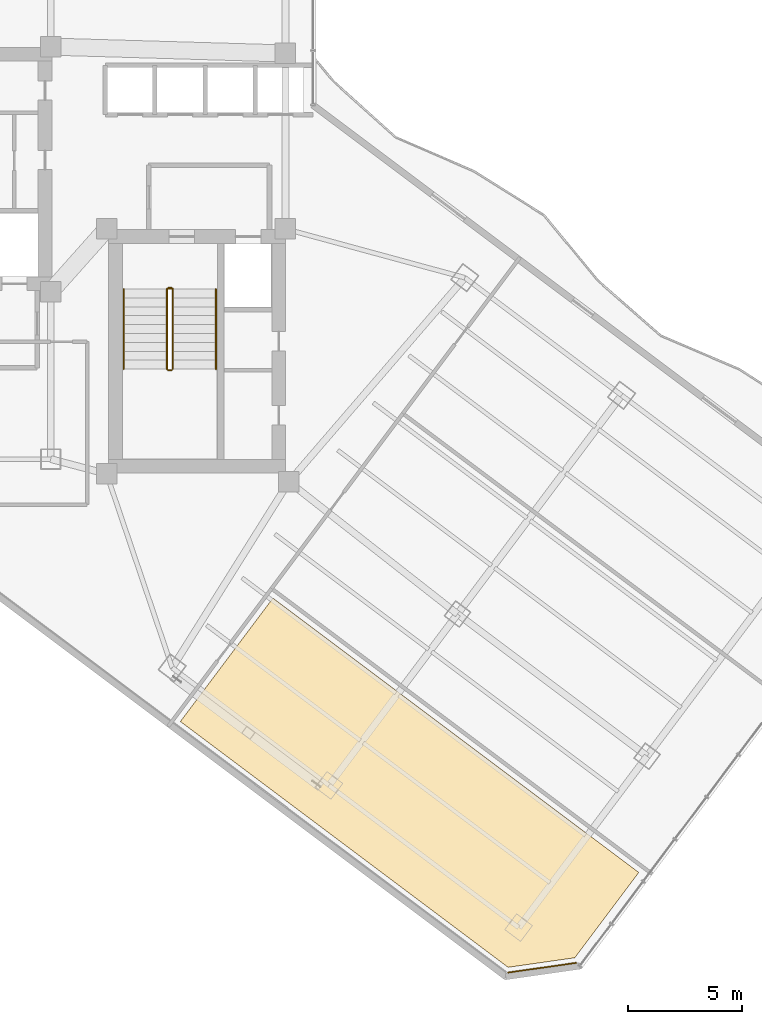
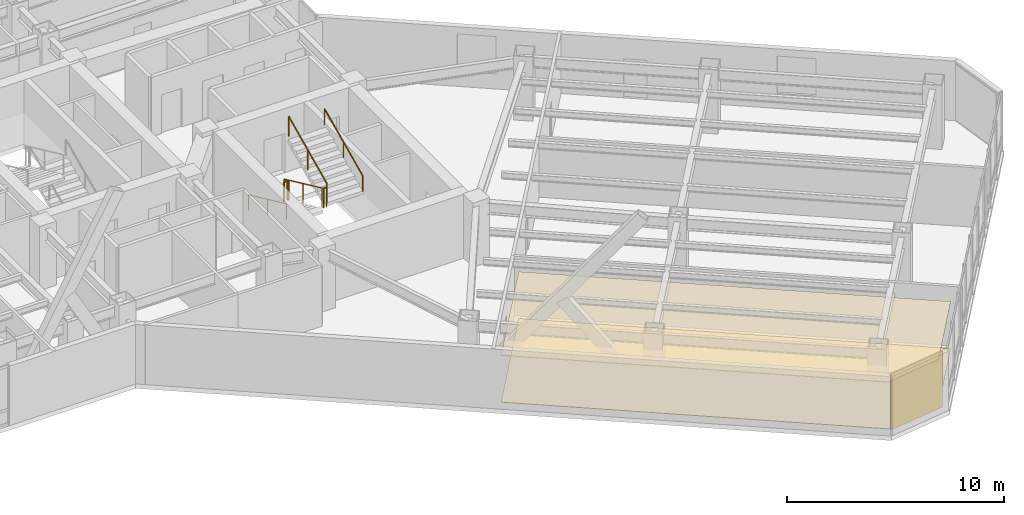
# One storey, part 26 of 29: 7 railings, 3 coverings.
"""IFC4 building model written with IfcOpenShell, lengths in metres."""

from ifc_helpers import new_model, si_unit, direction, frame, origin, origin_2d, place, context, subcontext, project, spatial, polyline, rectangle, circle, outline, extrude, material, layer, layer_set, type_object, element, save


model = new_model("IFC4")

# Units and contexts
model_context = context("Model", 3, precision=1e-05, world=origin(), true_north=direction((0.0, 1.0)))
body_context = subcontext(model_context, "Body", "Model", "MODEL_VIEW")
ifc_project = project(units=[si_unit("LENGTHUNIT", "METRE"), si_unit("AREAUNIT", "SQUARE_METRE"), si_unit("VOLUMEUNIT", "CUBIC_METRE"), si_unit("PLANEANGLEUNIT", "RADIAN"), si_unit("MASSUNIT", "GRAM", prefix="KILO")], contexts=[model_context])

# Site, building, storey
site_placement = place(None, origin())
site = spatial("IfcSite", under=ifc_project, at=site_placement, CompositionType="ELEMENT")
building_placement = place(site_placement, origin())
building = spatial("IfcBuilding", under=site, at=building_placement, Name="Hatsunagi Terrace Concourse", CompositionType="ELEMENT")
storey_placement = place(building_placement, frame((0.0, 0.0, 108.449951171875)))
storey = spatial("IfcBuildingStorey", under=building, at=storey_placement, Name="L28", CompositionType="ELEMENT", Elevation=108.449951171875)

# Covering
ifc_material_1 = material(Name="Granite stone paving", Category="masonry")
ifc_layer_1 = layer(ifc_material_1, 0.02490234375)
ifc_layer_set_1 = layer_set([ifc_layer_1], Name="GraniteStoneFlooring_25")
covering_type_1 = type_object("IfcCoveringType", Name="GraniteStoneFlooring_25", PredefinedType="FLOORING", material=ifc_layer_set_1)
covering_1_placement = place(storey_placement, origin())
element("IfcCovering", 1, at=covering_1_placement, inside=storey, type_object=covering_type_1, Name="Finished Flooring L28-1", PredefinedType="FLOORING", context=body_context, shape_type="SweptSolid", body=[
    extrude(outline(polyline([(56.347900390625, 3.31396484375), (59.156005859375, 7.05810546875), (43.10009765625, 19.10009765625), (39.0380859375, 13.68408203125), (53.422119140625, 2.89599609375), (56.347900390625, 3.31396484375)])), origin(), (0.0, 0.0, 1.0), 0.025146484375),
])

# Railings
ifc_material_2 = material(Name="Stainless steel", Category="steel")
ifc_layer_2 = layer(ifc_material_2, 0.044921875)
ifc_layer_set_2 = layer_set([ifc_layer_2], Name="StairPitchHandrail_Tower2000")
railing_type_1 = type_object("IfcRailingType", Name="StairPitchHandrail_Tower2000", PredefinedType="HANDRAIL", material=ifc_layer_set_2)
railing_1_placement = place(storey_placement, frame((36.550048828125, 32.659912109375, 0.179931640625)))
element("IfcRailing", 2, at=railing_1_placement, inside=storey, type_object=railing_type_1, Name="L28 ST-B stair handrail 1", PredefinedType="HANDRAIL", context=body_context, shape_type="SweptSolid", body=[
    extrude(circle(Radius=0.02392578125, at=origin_2d()), frame((0.0, 0.0, 0.8759765625), z_axis=(0.0, -0.907948293929, 0.419082206198), x_axis=(1.0, 0.0, 0.0)), (0.0, 0.0, 1.0), 3.865966796875),
    extrude(circle(Radius=0.02099609375, at=origin_2d()), origin(), (0.0, 0.0, 1.0), 0.851806640625),
    extrude(circle(Radius=0.02099609375, at=origin_2d()), frame((0.0, -1.7548828125, 0.81005859375)), (0.0, 0.0, 1.0), 0.851806640625),
    extrude(circle(Radius=0.02099609375, at=origin_2d()), frame((0.0, -3.510009765625, 1.6201171875)), (0.0, 0.0, 1.0), 0.851806640625),
])
railing_2_placement = place(storey_placement, frame((40.60009765625, 29.14990234375, 1.97998046875)))
element("IfcRailing", 3, at=railing_2_placement, inside=storey, type_object=railing_type_1, Name="L28 ST-B stair handrail 2", PredefinedType="HANDRAIL", context=body_context, shape_type="SweptSolid", body=[
    extrude(circle(Radius=0.02392578125, at=origin_2d()), frame((0.0, 0.0, 0.8759765625), z_axis=(0.0, 0.907948293929, 0.419082206198), x_axis=(-1.0, 0.0, 0.0)), (0.0, 0.0, 1.0), 3.865966796875),
    extrude(circle(Radius=0.02099609375, at=origin_2d()), origin(), (0.0, 0.0, 1.0), 0.851806640625),
    extrude(circle(Radius=0.02099609375, at=origin_2d()), frame((0.0, 1.7548828125, 0.81005859375)), (0.0, 0.0, 1.0), 0.851806640625),
    extrude(circle(Radius=0.02099609375, at=origin_2d()), frame((0.0, 3.510009765625, 1.6201171875)), (0.0, 0.0, 1.0), 0.851806640625),
])
ifc_material_3 = material(Name="Stainless steel", Category="steel")
ifc_layer_3 = layer(ifc_material_3, 0.06005859375)
ifc_layer_set_3 = layer_set([ifc_layer_3], Name="StairWellGuard_Tower2000")
railing_type_2 = type_object("IfcRailingType", Name="StairWellGuard_Tower2000", PredefinedType="BALUSTRADE", material=ifc_layer_set_3)
railing_3_placement = place(storey_placement, frame((38.449951171875, 32.659912109375, 0.179931640625)))
element("IfcRailing", 4, at=railing_3_placement, inside=storey, type_object=railing_type_2, Name="L28 ST-B stair guard 1", PredefinedType="BALUSTRADE", context=body_context, shape_type="SweptSolid", body=[
    extrude(circle(Radius=0.02392578125, at=origin_2d()), frame((0.0, 0.0, 1.09619140625), z_axis=(0.0, -0.907948293929, 0.419082206198), x_axis=(1.0, 0.0, 0.0)), (0.0, 0.0, 1.0), 3.865966796875),
    extrude(circle(Radius=0.02099609375, at=origin_2d()), origin(), (0.0, 0.0, 1.0), 1.072021484375),
    extrude(circle(Radius=0.02099609375, at=origin_2d()), frame((0.0, -1.7548828125, 0.81005859375)), (0.0, 0.0, 1.0), 1.072021484375),
    extrude(circle(Radius=0.02099609375, at=origin_2d()), frame((0.0, -3.510009765625, 1.6201171875)), (0.0, 0.0, 1.0), 1.072021484375),
])
railing_4_placement = place(storey_placement, frame((38.5, 29.10009765625, 1.800048828125)))
element("IfcRailing", 5, at=railing_4_placement, inside=storey, type_object=railing_type_2, Name="L28 ST-B stair guard 2", PredefinedType="BALUSTRADE", context=body_context, shape_type="SweptSolid", body=[
    extrude(circle(Radius=0.02392578125, at=origin_2d()), frame((0.0, 0.0, 1.09619140625), z_axis=(1.0, 0.0, 0.0), x_axis=(0.0, 1.0, 0.0)), (0.0, 0.0, 1.0), 0.14990234375),
    extrude(circle(Radius=0.02099609375, at=origin_2d()), origin(), (0.0, 0.0, 1.0), 1.072021484375),
    extrude(circle(Radius=0.02099609375, at=origin_2d()), frame((0.14990234375, 0.0, 0.0)), (0.0, 0.0, 1.0), 1.072021484375),
])
railing_5_placement = place(storey_placement, frame((38.699951171875, 29.14990234375, 1.97998046875)))
element("IfcRailing", 6, at=railing_5_placement, inside=storey, type_object=railing_type_2, Name="L28 ST-B stair guard 3", PredefinedType="BALUSTRADE", context=body_context, shape_type="SweptSolid", body=[
    extrude(circle(Radius=0.02392578125, at=origin_2d()), frame((0.0, 0.0, 1.09619140625), z_axis=(0.0, 0.907948293929, 0.419082206198), x_axis=(-1.0, 0.0, 0.0)), (0.0, 0.0, 1.0), 3.865966796875),
    extrude(circle(Radius=0.02099609375, at=origin_2d()), origin(), (0.0, 0.0, 1.0), 1.072021484375),
    extrude(circle(Radius=0.02099609375, at=origin_2d()), frame((0.0, 1.7548828125, 0.81005859375)), (0.0, 0.0, 1.0), 1.072021484375),
    extrude(circle(Radius=0.02099609375, at=origin_2d()), frame((0.0, 3.510009765625, 1.6201171875)), (0.0, 0.0, 1.0), 1.072021484375),
])
railing_6_placement = place(storey_placement, frame((38.5, 32.7099609375, 0.0)))
element("IfcRailing", 7, at=railing_6_placement, inside=storey, type_object=railing_type_2, Name="L28 ST-B stair guard 4", PredefinedType="BALUSTRADE", context=body_context, shape_type="SweptSolid", body=[
    extrude(circle(Radius=0.02392578125, at=origin_2d()), frame((0.0, 0.0, 1.09619140625), z_axis=(1.0, 0.0, 0.0), x_axis=(0.0, 1.0, 0.0)), (0.0, 0.0, 1.0), 0.14990234375),
    extrude(circle(Radius=0.02099609375, at=origin_2d()), origin(), (0.0, 0.0, 1.0), 1.072021484375),
    extrude(circle(Radius=0.02099609375, at=origin_2d()), frame((0.14990234375, 0.0, 0.0)), (0.0, 0.0, 1.0), 1.072021484375),
])
ifc_material_4 = material(Name="Stainless Steel SUS316 Post-and-Rail Guard", Category="steel")
ifc_layer_4 = layer(ifc_material_4, 0.080078125)
ifc_layer_set_4 = layer_set([ifc_layer_4], Name="TerracePlantedGuardRail_1200")
railing_type_3 = type_object("IfcRailingType", Name="TerracePlantedGuardRail_1200", PredefinedType="GUARDRAIL", material=ifc_layer_set_4)
railing_7_placement = place(storey_placement, frame((38.449951171875, 32.679931640625, 0.0)))
element("IfcRailing", 8, at=railing_7_placement, inside=storey, type_object=railing_type_3, Name="Stair ST-B Well Closure Guard L28", PredefinedType="GUARDRAIL", context=body_context, shape_type="SweptSolid", body=[
    extrude(circle(Radius=0.02392578125, at=origin_2d()), frame((0.0, 0.0, 1.09619140625), z_axis=(1.0, 0.0, 0.0), x_axis=(0.0, 1.0, 0.0)), (0.0, 0.0, 1.0), 0.25),
    extrude(circle(Radius=0.02099609375, at=origin_2d()), origin(), (0.0, 0.0, 1.0), 1.072021484375),
    extrude(circle(Radius=0.02099609375, at=origin_2d()), frame((0.25, 0.0, 0.0)), (0.0, 0.0, 1.0), 1.072021484375),
])

# Coverings
ifc_material_5 = material(Name="Unglazed Warm Terracotta Rainscreen Tile", Category="masonry")
ifc_layer_5 = layer(ifc_material_5, 0.044921875)
ifc_layer_set_5 = layer_set([ifc_layer_5], Name="TerracottaRainscreenCladding_45")
covering_type_2 = type_object("IfcCoveringType", Name="TerracottaRainscreenCladding_45", PredefinedType="CLADDING", material=ifc_layer_set_5)
covering_2_placement = place(storey_placement, frame((54.91796875, 2.87890625, 0.10009765625), z_axis=(0.0, 0.0, 1.0), x_axis=(-0.989973920543, -0.141250262458, 0.0)))
element("IfcCovering", 9, at=covering_2_placement, inside=storey, type_object=covering_type_2, Name="Terracotta Rainscreen Cladding L28-04", PredefinedType="CLADDING", context=body_context, shape_type="SweptSolid", body=[
    extrude(rectangle(XDim=3.0380859375, YDim=0.044921875, at=origin_2d()), origin(), (0.0, 0.0, 1.0), 3.14990234375),
])
ifc_material_6 = material(Name="Hardwood timber", Category="wood")
ifc_layer_6 = layer(ifc_material_6, 0.034912109375)
ifc_layer_set_6 = layer_set([ifc_layer_6], Name="TimberBaffleCeiling_35")
covering_type_3 = type_object("IfcCoveringType", Name="TimberBaffleCeiling_35", PredefinedType="CEILING", material=ifc_layer_set_6)
covering_3_placement = place(storey_placement, frame((0.0, 0.0, 2.630126953125)))
element("IfcCovering", 10, at=covering_3_placement, inside=storey, type_object=covering_type_3, Name="Suspended Ceiling L28-1", PredefinedType="CEILING", context=body_context, shape_type="SweptSolid", body=[
    extrude(outline(polyline([(56.347900390625, 3.31396484375), (59.156005859375, 7.05810546875), (43.10009765625, 19.10009765625), (39.0380859375, 13.68408203125), (53.422119140625, 2.89599609375), (56.347900390625, 3.31396484375)])), origin(), (0.0, 0.0, 1.0), 0.034912109375),
])

save(model, "model.ifc")
